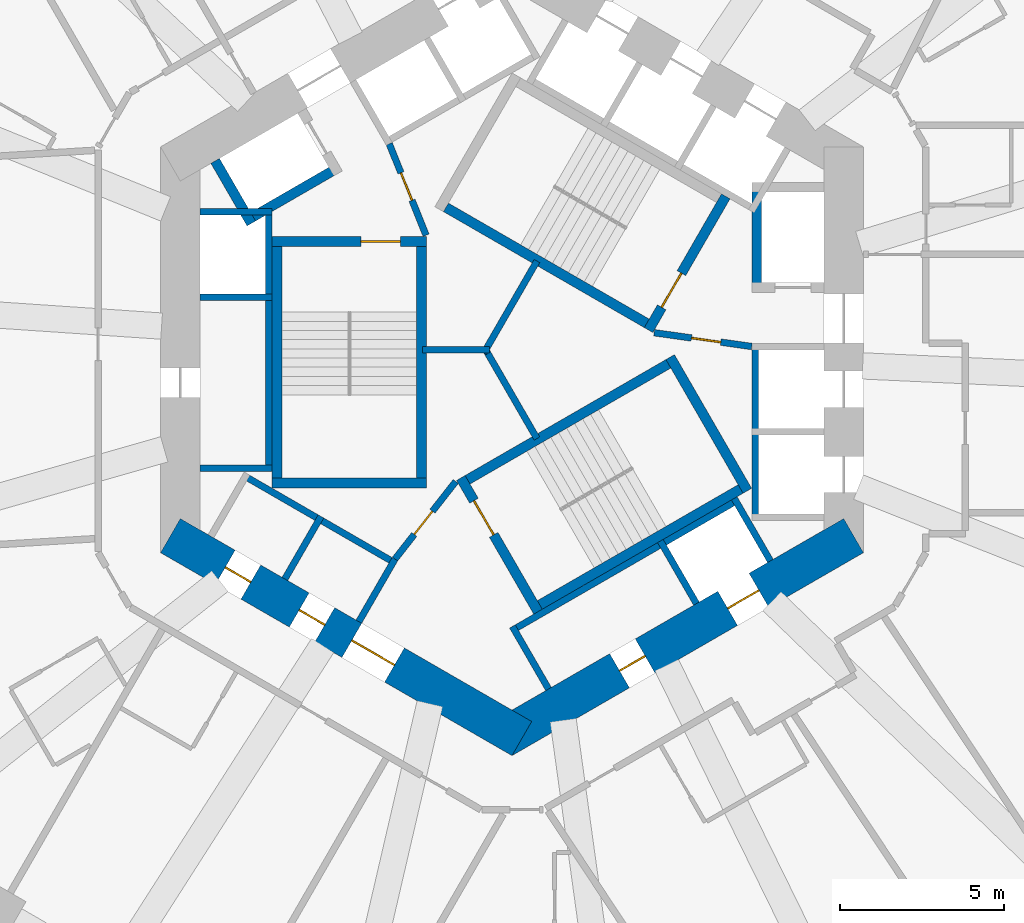
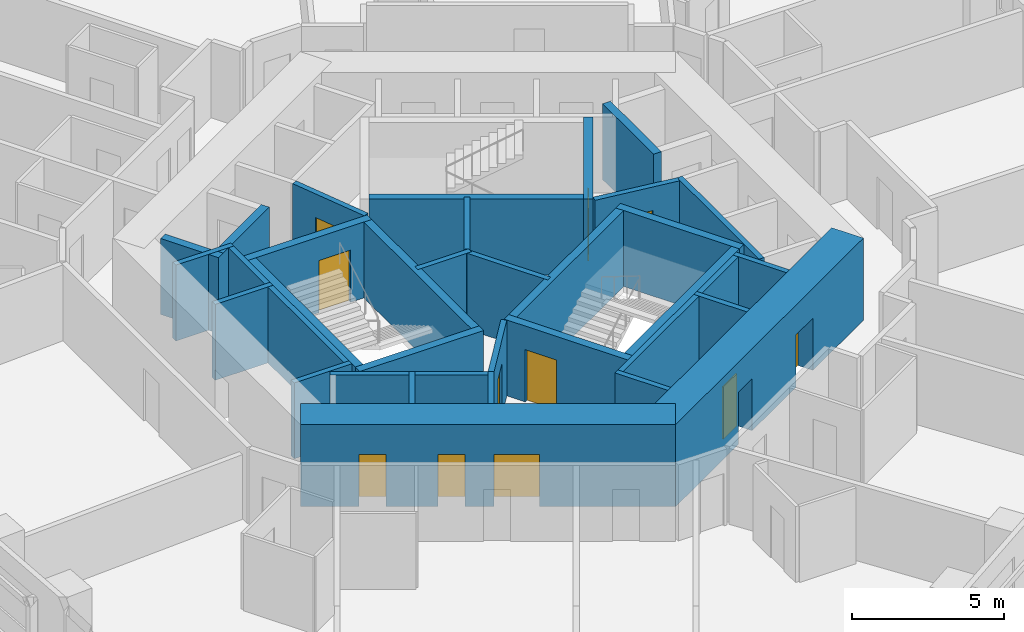
# One storey, part 5 of 12: 33 walls, 11 doors, 11 openings.
"""IFC4 building model written with IfcOpenShell, lengths in metres."""

from ifc_helpers import new_model, si_unit, direction, frame, frame_2d, origin, place, context, subcontext, project, spatial, rectangle, extrude, material, layer, layer_set, type_object, element, fill, save


model = new_model("IFC4")

# Units and contexts
model_context = context("Model", 3, precision=1e-05, world=origin(), true_north=direction((0.0, 1.0)))
body_context = subcontext(model_context, "Body", "Model", "MODEL_VIEW")
ifc_project = project(units=[si_unit("LENGTHUNIT", "METRE"), si_unit("AREAUNIT", "SQUARE_METRE"), si_unit("VOLUMEUNIT", "CUBIC_METRE"), si_unit("PLANEANGLEUNIT", "RADIAN"), si_unit("MASSUNIT", "GRAM", prefix="KILO")], contexts=[model_context])

# Site, building, storey
site_placement = place(None, origin())
site = spatial("IfcSite", under=ifc_project, at=site_placement, CompositionType="ELEMENT")
building_placement = place(site_placement, origin())
building = spatial("IfcBuilding", under=site, at=building_placement, Name="Vanh Sen Convention Tower", CompositionType="ELEMENT")
storey_placement = place(building_placement, frame((0.0, 0.0, 106.699951171875)))
storey = spatial("IfcBuildingStorey", under=building, at=storey_placement, Name="L25", CompositionType="ELEMENT", Elevation=106.699951171875)

# Wall, openings, doors
ifc_material_1 = material(Name="Concrete C80/95", Category="concrete")
ifc_layer_1 = layer(ifc_material_1, 1.199951171875)
ifc_layer_set_1 = layer_set([ifc_layer_1], Name="Concrete C80/95")
wall_type_1 = type_object("IfcWallType", Name="Core outer wall 1200 C80/95", PredefinedType="SHEAR", material=ifc_layer_set_1)
wall_1_placement = place(storey_placement, frame((-10.39990234375, -5.657958984375, 0.0), z_axis=(0.0, 0.0, 1.0), x_axis=(0.866021384402, -0.500006961711, 0.0)))
wall_1 = element("IfcWall", 1, at=wall_1_placement, inside=storey, type_object=wall_type_1, Name="Core wall face SW L25", PredefinedType="SHEAR", context=body_context, shape_type="SweptSolid", body=[
    extrude(rectangle(XDim=12.355224609375, YDim=1.199951171875, at=frame_2d((6.177734375, 0.0))), origin(), (0.0, 0.0, 1.0), 3.300048828125),
])
opening_1_placement = place(wall_1_placement, frame((6.377685546875, 0.0, 0.0)))
opening_1 = element("IfcOpeningElement", 2, at=opening_1_placement, cuts=wall_1, Name="Opening D25003", PredefinedType="OPENING", context=body_context, shape_type="SweptSolid", body=[
    extrude(rectangle(XDim=1.5, YDim=2.10009765625, at=frame_2d((0.75, 1.050048828125))), frame((0.0, 0.60986328125, 0.0), z_axis=(0.0, -1.0, 0.0), x_axis=(1.0, 0.0, 0.0)), (0.0, 0.0, 1.0), 1.219970703125),
])
opening_2_placement = place(wall_1_placement, frame((1.927734375, 0.0, 0.0)))
opening_2 = element("IfcOpeningElement", 3, at=opening_2_placement, cuts=wall_1, Name="Opening D25011", PredefinedType="OPENING", context=body_context, shape_type="SweptSolid", body=[
    extrude(rectangle(XDim=0.89990234375, YDim=2.10009765625, at=frame_2d((0.449951171875, 1.050048828125))), frame((0.0, 0.60986328125, 0.0), z_axis=(0.0, -1.0, 0.0), x_axis=(1.0, 0.0, 0.0)), (0.0, 0.0, 1.0), 1.219970703125),
])
opening_3_placement = place(wall_1_placement, frame((4.527587890625, 0.0, 0.0)))
opening_3 = element("IfcOpeningElement", 4, at=opening_3_placement, cuts=wall_1, Name="Opening D25012", PredefinedType="OPENING", context=body_context, shape_type="SweptSolid", body=[
    extrude(rectangle(XDim=0.89990234375, YDim=2.10009765625, at=frame_2d((0.449951171875, 1.050048828125))), frame((0.0, 0.60986328125, 0.0), z_axis=(0.0, -1.0, 0.0), x_axis=(1.0, 0.0, 0.0)), (0.0, 0.0, 1.0), 1.219970703125),
])
ifc_material_2 = material(Name="Steel S355", Category="steel")
door_type_1 = type_object("IfcDoorType", Name="Plant door 900", OperationType="SINGLE_SWING_LEFT", PredefinedType="DOOR", material=ifc_material_2)
door_1_placement = place(opening_2_placement, origin())
door_1 = element("IfcDoor", 5, at=door_1_placement, inside=storey, type_object=door_type_1, Name="Plant door D25011", OperationType="SINGLE_SWING_LEFT", OverallHeight=2.10009765625, OverallWidth=0.89990234375, PredefinedType="DOOR", context=body_context, shape_type="SweptSolid", body=[
    extrude(rectangle(XDim=0.89990234375, YDim=2.10009765625, at=frame_2d((0.449951171875, 1.050048828125))), frame((0.0, 0.02490234375, 0.0), z_axis=(0.0, -1.0, 0.0), x_axis=(1.0, 0.0, 0.0)), (0.0, 0.0, 1.0), 0.050048828125),
])
fill(opening_2, door_1)
door_2_placement = place(opening_3_placement, origin())
door_2 = element("IfcDoor", 6, at=door_2_placement, inside=storey, type_object=door_type_1, Name="Plant door D25012", OperationType="SINGLE_SWING_LEFT", OverallHeight=2.10009765625, OverallWidth=0.89990234375, PredefinedType="DOOR", context=body_context, shape_type="SweptSolid", body=[
    extrude(rectangle(XDim=0.89990234375, YDim=2.10009765625, at=frame_2d((0.449951171875, 1.050048828125))), frame((0.0, 0.02490234375, 0.0), z_axis=(0.0, -1.0, 0.0), x_axis=(1.0, 0.0, 0.0)), (0.0, 0.0, 1.0), 0.050048828125),
])
fill(opening_3, door_2)
door_type_2 = type_object("IfcDoorType", Name="Stair lobby door 1500", OperationType="DOUBLE_DOOR_SINGLE_SWING", PredefinedType="DOOR", material=ifc_material_2)
door_3_placement = place(opening_1_placement, origin())
door_3 = element("IfcDoor", 7, at=door_3_placement, inside=storey, type_object=door_type_2, Name="Stair lobby door D25003", OperationType="DOUBLE_DOOR_SINGLE_SWING", OverallHeight=2.10009765625, OverallWidth=1.5, PredefinedType="DOOR", context=body_context, shape_type="SweptSolid", body=[
    extrude(rectangle(XDim=1.5, YDim=2.10009765625, at=frame_2d((0.75, 1.050048828125))), frame((0.0, 0.02490234375, 0.0), z_axis=(0.0, -1.0, 0.0), x_axis=(1.0, 0.0, 0.0)), (0.0, 0.0, 1.0), 0.050048828125),
])
fill(opening_1, door_3)

wall_2_placement = place(storey_placement, frame((-0.300048828125, -11.835693359375, 0.0), z_axis=(0.0, 0.0, 1.0), x_axis=(0.866021384402, 0.500006961711, 0.0)))
wall_2 = element("IfcWall", 8, at=wall_2_placement, inside=storey, type_object=wall_type_1, Name="Core wall face SE L25", PredefinedType="SHEAR", context=body_context, shape_type="SweptSolid", body=[
    extrude(rectangle(XDim=12.355224609375, YDim=1.199951171875, at=frame_2d((6.177734375, 0.0))), origin(), (0.0, 0.0, 1.0), 3.300048828125),
])
opening_4_placement = place(wall_2_placement, frame((4.127685546875, 0.0, 0.0)))
opening_4 = element("IfcOpeningElement", 9, at=opening_4_placement, cuts=wall_2, Name="Opening D25013", PredefinedType="OPENING", context=body_context, shape_type="SweptSolid", body=[
    extrude(rectangle(XDim=0.89990234375, YDim=2.10009765625, at=frame_2d((0.449951171875, 1.050048828125))), frame((0.0, 0.60986328125, 0.0), z_axis=(0.0, -1.0, 0.0), x_axis=(1.0, 0.0, 0.0)), (0.0, 0.0, 1.0), 1.219970703125),
])
opening_5_placement = place(wall_2_placement, frame((7.927734375, 0.0, 0.0)))
opening_5 = element("IfcOpeningElement", 10, at=opening_5_placement, cuts=wall_2, Name="Opening LD-SV1", PredefinedType="OPENING", context=body_context, shape_type="SweptSolid", body=[
    extrude(rectangle(XDim=1.10009765625, YDim=2.10009765625, at=frame_2d((0.550048828125, 1.050048828125))), frame((0.0, 0.60986328125, 0.0), z_axis=(0.0, -1.0, 0.0), x_axis=(1.0, 0.0, 0.0)), (0.0, 0.0, 1.0), 1.219970703125),
])
ifc_material_3 = material(Name="Stainless steel", Category="steel")
door_type_3 = type_object("IfcDoorType", Name="Lift landing door 1100", OperationType="DOUBLE_DOOR_SLIDING", PredefinedType="DOOR", material=ifc_material_3)
door_4_placement = place(opening_5_placement, origin())
door_4 = element("IfcDoor", 11, at=door_4_placement, inside=storey, type_object=door_type_3, Name="Lift SV1 landing door LD-SV1", OperationType="DOUBLE_DOOR_SLIDING", OverallHeight=2.10009765625, OverallWidth=1.10009765625, PredefinedType="DOOR", context=body_context, shape_type="SweptSolid", body=[
    extrude(rectangle(XDim=1.10009765625, YDim=2.10009765625, at=frame_2d((0.550048828125, 1.050048828125))), frame((0.0, 0.02490234375, 0.0), z_axis=(0.0, -1.0, 0.0), x_axis=(1.0, 0.0, 0.0)), (0.0, 0.0, 1.0), 0.050048828125),
])
fill(opening_5, door_4)
door_5_placement = place(opening_4_placement, origin())
door_5 = element("IfcDoor", 12, at=door_5_placement, inside=storey, type_object=door_type_1, Name="Plant door D25013", OperationType="SINGLE_SWING_LEFT", OverallHeight=2.10009765625, OverallWidth=0.89990234375, PredefinedType="DOOR", context=body_context, shape_type="SweptSolid", body=[
    extrude(rectangle(XDim=0.89990234375, YDim=2.10009765625, at=frame_2d((0.449951171875, 1.050048828125))), frame((0.0, 0.02490234375, 0.0), z_axis=(0.0, -1.0, 0.0), x_axis=(1.0, 0.0, 0.0)), (0.0, 0.0, 1.0), 0.050048828125),
])
fill(opening_4, door_5)

# Walls
ifc_material_4 = material(Name="Masonry blockwork", Category="masonry")
ifc_layer_2 = layer(ifc_material_4, 0.199951171875)
ifc_layer_set_2 = layer_set([ifc_layer_2], Name="Masonry blockwork")
wall_type_2 = type_object("IfcWallType", Name="Core partition 200", PredefinedType="PARTITIONING", material=ifc_layer_set_2)
wall_3_placement = place(storey_placement, frame((-0.679931640625, 0.0, 0.0), z_axis=(0.0, 0.0, 1.0), x_axis=(-1.0, 0.0, 0.0)))
element("IfcWall", 13, at=wall_3_placement, inside=storey, type_object=wall_type_2, Name="Core partition L25", PredefinedType="PARTITIONING", context=body_context, shape_type="SweptSolid", body=[
    extrude(rectangle(XDim=2.0400390625, YDim=0.199951171875, at=frame_2d((1.02001953125, 0.0))), origin(), (0.0, 0.0, 1.0), 3.050048828125),
])
for number, where, z_axis, x_axis, name in (
    (14, (-0.860107421875, -0.10400390625, 0.0), (0.0, 0.0, 1.0), (0.500029011134, 0.866008653551, 0.0), "Core partition L25"),
    (15, (-0.860107421875, 0.10400390625, 0.0), (0.0, 0.0, 1.0), (0.500029011134, -0.866008653551, 0.0), "Core partition L25"),
):
    element("IfcWall", number, at=place(storey_placement, frame(where, z_axis=z_axis, x_axis=x_axis)), inside=storey, type_object=wall_type_2, Name=name, PredefinedType="PARTITIONING", context=body_context, shape_type="SweptSolid", body=[
        extrude(rectangle(XDim=3.239990234375, YDim=0.199951171875, at=frame_2d((1.6201171875, 0.0))), origin(), (0.0, 0.0, 1.0), 3.050048828125),
    ])
ifc_material_5 = material(Name="Concrete C60/75", Category="concrete")
ifc_layer_3 = layer(ifc_material_5, 0.300048828125)
ifc_layer_set_3 = layer_set([ifc_layer_3], Name="Concrete C60/75")
wall_type_3 = type_object("IfcWallType", Name="Fire-fighting lift shaft wall 300", PredefinedType="SHEAR", material=ifc_layer_set_3)
wall_4_placement = place(storey_placement, frame((7.449951171875, 1.75, 0.0), z_axis=(0.0, 0.0, 1.0), x_axis=(0.0, 1.0, 0.0)))
element("IfcWall", 16, at=wall_4_placement, inside=storey, type_object=wall_type_3, Name="Fire-fighting lift shaft wall L25", PredefinedType="SHEAR", context=body_context, shape_type="SweptSolid", body=[
    extrude(rectangle(XDim=3.35009765625, YDim=0.300048828125, at=frame_2d((1.675048828125, 0.0))), origin(), (0.0, 0.0, 1.0), 3.050048828125),
])
wall_5_placement = place(storey_placement, frame((-5.240478515625, 5.576904296875, 0.0), z_axis=(0.0, 0.0, 1.0), x_axis=(-0.866014461049, -0.500018952895, 0.0)))
element("IfcWall", 17, at=wall_5_placement, inside=storey, type_object=wall_type_3, Name="Fire-fighting lift shaft wall L25", PredefinedType="SHEAR", context=body_context, shape_type="SweptSolid", body=[
    extrude(rectangle(XDim=3.349853515625, YDim=0.300048828125, at=frame_2d((1.6748046875, 0.0))), origin(), (0.0, 0.0, 1.0), 3.050048828125),
])
wall_6_placement = place(storey_placement, frame((-7.936767578125, 3.846923828125, 0.0), z_axis=(0.0, 0.0, 1.0), x_axis=(-0.50002983664, 0.866008176907, 0.0)))
element("IfcWall", 18, at=wall_6_placement, inside=storey, type_object=wall_type_3, Name="Fire-fighting lift shaft wall L25", PredefinedType="SHEAR", context=body_context, shape_type="SweptSolid", body=[
    extrude(rectangle(XDim=2.199951171875, YDim=0.300048828125, at=frame_2d((1.10009765625, 0.0))), origin(), (0.0, 0.0, 1.0), 3.050048828125),
])
ifc_material_6 = material(Name="Concrete C40/50", Category="concrete")
ifc_layer_4 = layer(ifc_material_6, 0.199951171875)
ifc_layer_set_4 = layer_set([ifc_layer_4], Name="Concrete C40/50")
wall_type_4 = type_object("IfcWallType", Name="Lift shaft wall 200", PredefinedType="PARTITIONING", material=ifc_layer_set_4)
wall_7_placement = place(storey_placement, frame((7.39990234375, -5.199951171875, 0.0), z_axis=(0.0, 0.0, 1.0), x_axis=(0.0, 1.0, 0.0)))
element("IfcWall", 19, at=wall_7_placement, inside=storey, type_object=wall_type_4, Name="Lift shaft wall L25", PredefinedType="PARTITIONING", context=body_context, shape_type="SweptSolid", body=[
    extrude(rectangle(XDim=5.39990234375, YDim=0.199951171875, at=frame_2d((2.699951171875, 0.0))), origin(), (0.0, 0.0, 1.0), 3.050048828125),
])
wall_8_placement = place(storey_placement, frame((-7.39990234375, 4.300048828125, 0.0), z_axis=(0.0, 0.0, 1.0), x_axis=(0.0, -1.0, 0.0)))
element("IfcWall", 20, at=wall_8_placement, inside=storey, type_object=wall_type_4, Name="Lift shaft wall L25", PredefinedType="PARTITIONING", context=body_context, shape_type="SweptSolid", body=[
    extrude(rectangle(XDim=8.0, YDim=0.199951171875, at=frame_2d((4.0, 0.0))), origin(), (0.0, 0.0, 1.0), 3.050048828125),
])
for number, where, z_axis, x_axis, name in (
    (21, (-7.300048828125, 4.199951171875, 0.0), (0.0, 0.0, 1.0), (-1.0, 0.0, 0.0), "Lift shaft wall L25"),
    (22, (-7.300048828125, 1.60009765625, 0.0), (0.0, 0.0, 1.0), (-1.0, 0.0, 0.0), "Lift shaft wall L25"),
    (23, (-7.300048828125, -3.60009765625, 0.0), (0.0, 0.0, 1.0), (-1.0, 0.0, 0.0), "Lift shaft wall L25"),
):
    element("IfcWall", number, at=place(storey_placement, frame(where, z_axis=z_axis, x_axis=x_axis)), inside=storey, type_object=wall_type_4, Name=name, PredefinedType="PARTITIONING", context=body_context, shape_type="SweptSolid", body=[
        extrude(rectangle(XDim=2.199951171875, YDim=0.199951171875, at=frame_2d((1.10009765625, 0.0))), origin(), (0.0, 0.0, 1.0), 3.050048828125),
    ])
wall_9_placement = place(storey_placement, frame((-8.203369140625, -3.80859375, 0.0), z_axis=(0.0, 0.0, 1.0), x_axis=(0.866028230842, -0.499995103361, 0.0)))
element("IfcWall", 24, at=wall_9_placement, inside=storey, type_object=wall_type_4, Name="Lift shaft wall L25", PredefinedType="PARTITIONING", context=body_context, shape_type="SweptSolid", body=[
    extrude(rectangle(XDim=5.39990234375, YDim=0.199951171875, at=frame_2d((2.699951171875, 0.0))), origin(), (0.0, 0.0, 1.0), 3.050048828125),
])
wall_10_placement = place(storey_placement, frame((-5.815185546875, -5.072021484375, 0.0), z_axis=(0.0, 0.0, 1.0), x_axis=(-0.499946605688, -0.86605622881, 0.0)))
element("IfcWall", 25, at=wall_10_placement, inside=storey, type_object=wall_type_4, Name="Lift shaft wall L25", PredefinedType="PARTITIONING", context=body_context, shape_type="SweptSolid", body=[
    extrude(rectangle(XDim=2.199951171875, YDim=0.199951171875, at=frame_2d((1.10009765625, 0.0))), origin(), (0.0, 0.0, 1.0), 3.050048828125),
])
wall_11_placement = place(storey_placement, frame((-3.5634765625, -6.3720703125, 0.0), z_axis=(0.0, 0.0, 1.0), x_axis=(-0.499994660107, -0.866028486751, 0.0)))
element("IfcWall", 26, at=wall_11_placement, inside=storey, type_object=wall_type_4, Name="Lift shaft wall L25", PredefinedType="PARTITIONING", context=body_context, shape_type="SweptSolid", body=[
    extrude(rectangle(XDim=2.19970703125, YDim=0.199951171875, at=frame_2d((1.099853515625, 0.0))), origin(), (0.0, 0.0, 1.0), 3.050048828125),
])
wall_12_placement = place(storey_placement, frame((-0.02392578125, -8.55859375, 0.0), z_axis=(0.0, 0.0, 1.0), x_axis=(0.866026010844, 0.49999894854, 0.0)))
element("IfcWall", 27, at=wall_12_placement, inside=storey, type_object=wall_type_4, Name="Lift shaft wall L25", PredefinedType="PARTITIONING", context=body_context, shape_type="SweptSolid", body=[
    extrude(rectangle(XDim=8.0, YDim=0.199951171875, at=frame_2d((4.0, 0.0))), origin(), (0.0, 0.0, 1.0), 3.050048828125),
])
for number, where, z_axis, x_axis, name in (
    (28, (0.0126953125, -8.422119140625, 0.0), (0.0, 0.0, 1.0), (0.500077893725, -0.86598042715, 0.0), "Lift shaft wall L25"),
    (29, (4.51611328125, -5.822021484375, 0.0), (0.0, 0.0, 1.0), (0.499946605688, -0.86605622881, 0.0), "Lift shaft wall L25"),
    (30, (6.767578125, -4.52197265625, 0.0), (0.0, 0.0, 1.0), (0.50002983664, -0.866008176907, 0.0), "Lift shaft wall L25"),
):
    element("IfcWall", number, at=place(storey_placement, frame(where, z_axis=z_axis, x_axis=x_axis)), inside=storey, type_object=wall_type_4, Name=name, PredefinedType="PARTITIONING", context=body_context, shape_type="SweptSolid", body=[
        extrude(rectangle(XDim=2.199951171875, YDim=0.199951171875, at=frame_2d((1.10009765625, 0.0))), origin(), (0.0, 0.0, 1.0), 3.050048828125),
    ])

# Wall, opening, door
ifc_layer_5 = layer(ifc_material_6, 0.199951171875)
ifc_layer_set_5 = layer_set([ifc_layer_5], Name="Concrete C40/50")
wall_type_5 = type_object("IfcWallType", Name="Stair lobby wall 200", PredefinedType="PARTITIONING", material=ifc_layer_set_5)
wall_13_placement = place(storey_placement, frame((4.327392578125, 0.52099609375, 0.0), z_axis=(0.0, 0.0, 1.0), x_axis=(0.990124376366, -0.14019172346, 0.0)))
wall_13 = element("IfcWall", 31, at=wall_13_placement, inside=storey, type_object=wall_type_5, Name="Stair lobby wall L25", PredefinedType="PARTITIONING", context=body_context, shape_type="SweptSolid", body=[
    extrude(rectangle(XDim=3.002197265625, YDim=0.199951171875, at=frame_2d((1.5009765625, 0.0))), origin(), (0.0, 0.0, 1.0), 3.050048828125),
])
opening_6_placement = place(wall_13_placement, frame((1.14990234375, 0.0, 0.0)))
opening_6 = element("IfcOpeningElement", 32, at=opening_6_placement, cuts=wall_13, Name="Opening D25007", PredefinedType="OPENING", context=body_context, shape_type="SweptSolid", body=[
    extrude(rectangle(XDim=0.89990234375, YDim=2.10009765625, at=frame_2d((0.449951171875, 1.050048828125))), frame((0.0, 0.10986328125, 0.0), z_axis=(0.0, -1.0, 0.0), x_axis=(1.0, 0.0, 0.0)), (0.0, 0.0, 1.0), 0.219970703125),
])
door_6_placement = place(opening_6_placement, origin())
door_6 = element("IfcDoor", 33, at=door_6_placement, inside=storey, type_object=door_type_1, Name="Plant door D25007", OperationType="SINGLE_SWING_LEFT", OverallHeight=2.10009765625, OverallWidth=0.89990234375, PredefinedType="DOOR", context=body_context, shape_type="SweptSolid", body=[
    extrude(rectangle(XDim=0.89990234375, YDim=2.10009765625, at=frame_2d((0.449951171875, 1.050048828125))), frame((0.0, 0.02490234375, 0.0), z_axis=(0.0, -1.0, 0.0), x_axis=(1.0, 0.0, 0.0)), (0.0, 0.0, 1.0), 0.050048828125),
])
fill(opening_6, door_6)

wall_14_placement = place(storey_placement, frame((-2.614990234375, 3.487060546875, 0.0), z_axis=(0.0, 0.0, 1.0), x_axis=(-0.373576831041, 0.92759924068, 0.0)))
wall_14 = element("IfcWall", 34, at=wall_14_placement, inside=storey, type_object=wall_type_5, Name="Stair lobby wall L25", PredefinedType="PARTITIONING", context=body_context, shape_type="SweptSolid", body=[
    extrude(rectangle(XDim=3.002197265625, YDim=0.199951171875, at=frame_2d((1.5009765625, 0.0))), origin(), (0.0, 0.0, 1.0), 3.050048828125),
])
opening_7_placement = place(wall_14_placement, frame((1.14990234375, 0.0, 0.0)))
opening_7 = element("IfcOpeningElement", 35, at=opening_7_placement, cuts=wall_14, Name="Opening D25008", PredefinedType="OPENING", context=body_context, shape_type="SweptSolid", body=[
    extrude(rectangle(XDim=0.89990234375, YDim=2.10009765625, at=frame_2d((0.449951171875, 1.050048828125))), frame((0.0, 0.10986328125, 0.0), z_axis=(0.0, -1.0, 0.0), x_axis=(1.0, 0.0, 0.0)), (0.0, 0.0, 1.0), 0.219970703125),
])
door_7_placement = place(opening_7_placement, origin())
door_7 = element("IfcDoor", 36, at=door_7_placement, inside=storey, type_object=door_type_1, Name="Plant door D25008", OperationType="SINGLE_SWING_LEFT", OverallHeight=2.10009765625, OverallWidth=0.89990234375, PredefinedType="DOOR", context=body_context, shape_type="SweptSolid", body=[
    extrude(rectangle(XDim=0.89990234375, YDim=2.10009765625, at=frame_2d((0.449951171875, 1.050048828125))), frame((0.0, 0.02490234375, 0.0), z_axis=(0.0, -1.0, 0.0), x_axis=(1.0, 0.0, 0.0)), (0.0, 0.0, 1.0), 0.050048828125),
])
fill(opening_7, door_7)

wall_15_placement = place(storey_placement, frame((-1.71240234375, -4.00830078125, 0.0), z_axis=(0.0, 0.0, 1.0), x_axis=(-0.616549420702, -0.787316208287, 0.0)))
wall_15 = element("IfcWall", 37, at=wall_15_placement, inside=storey, type_object=wall_type_5, Name="Stair lobby wall L25", PredefinedType="PARTITIONING", context=body_context, shape_type="SweptSolid", body=[
    extrude(rectangle(XDim=3.002197265625, YDim=0.199951171875, at=frame_2d((1.5009765625, 0.0))), origin(), (0.0, 0.0, 1.0), 3.050048828125),
])
opening_8_placement = place(wall_15_placement, frame((1.14990234375, 0.0, 0.0)))
opening_8 = element("IfcOpeningElement", 38, at=opening_8_placement, cuts=wall_15, Name="Opening D25009", PredefinedType="OPENING", context=body_context, shape_type="SweptSolid", body=[
    extrude(rectangle(XDim=0.89990234375, YDim=2.10009765625, at=frame_2d((0.449951171875, 1.050048828125))), frame((0.0, 0.10986328125, 0.0), z_axis=(0.0, -1.0, 0.0), x_axis=(1.0, 0.0, 0.0)), (0.0, 0.0, 1.0), 0.219970703125),
])
door_8_placement = place(opening_8_placement, origin())
door_8 = element("IfcDoor", 39, at=door_8_placement, inside=storey, type_object=door_type_1, Name="Plant door D25009", OperationType="SINGLE_SWING_LEFT", OverallHeight=2.10009765625, OverallWidth=0.89990234375, PredefinedType="DOOR", context=body_context, shape_type="SweptSolid", body=[
    extrude(rectangle(XDim=0.89990234375, YDim=2.10009765625, at=frame_2d((0.449951171875, 1.050048828125))), frame((0.0, 0.02490234375, 0.0), z_axis=(0.0, -1.0, 0.0), x_axis=(1.0, 0.0, 0.0)), (0.0, 0.0, 1.0), 0.050048828125),
])
fill(opening_8, door_8)

ifc_layer_6 = layer(ifc_material_5, 0.300048828125)
ifc_layer_set_6 = layer_set([ifc_layer_6], Name="Concrete C60/75")
wall_type_6 = type_object("IfcWallType", Name="Stair wall 300", PredefinedType="SHEAR", material=ifc_layer_set_6)
wall_16_placement = place(storey_placement, frame((4.157958984375, 0.601806640625, 0.0), z_axis=(0.0, 0.0, 1.0), x_axis=(0.499977259774, 0.866038532462, 0.0)))
wall_16 = element("IfcWall", 40, at=wall_16_placement, inside=storey, type_object=wall_type_6, Name="Stair wall L25", PredefinedType="SHEAR", context=body_context, shape_type="SweptSolid", body=[
    extrude(rectangle(XDim=4.699951171875, YDim=0.300048828125, at=frame_2d((2.35009765625, 0.0))), origin(), (0.0, 0.0, 1.0), 3.050048828125),
])
opening_9_placement = place(wall_16_placement, frame((0.800048828125, 0.0, 0.0)))
opening_9 = element("IfcOpeningElement", 41, at=opening_9_placement, cuts=wall_16, Name="Opening D25004", PredefinedType="OPENING", context=body_context, shape_type="SweptSolid", body=[
    extrude(rectangle(XDim=1.199951171875, YDim=2.10009765625, at=frame_2d((0.60009765625, 1.050048828125))), frame((0.0, 0.159912109375, 0.0), z_axis=(0.0, -1.0, 0.0), x_axis=(1.0, 0.0, 0.0)), (0.0, 0.0, 1.0), 0.320068359375),
])
door_type_4 = type_object("IfcDoorType", Name="Stair door 1200", OperationType="SINGLE_SWING_RIGHT", PredefinedType="DOOR", material=ifc_material_2)
door_9_placement = place(opening_9_placement, origin())
door_9 = element("IfcDoor", 42, at=door_9_placement, inside=storey, type_object=door_type_4, Name="Stair ST1 door D25004", OperationType="SINGLE_SWING_RIGHT", OverallHeight=2.10009765625, OverallWidth=1.199951171875, PredefinedType="DOOR", context=body_context, shape_type="SweptSolid", body=[
    extrude(rectangle(XDim=1.199951171875, YDim=2.10009765625, at=frame_2d((0.60009765625, 1.050048828125))), frame((0.0, 0.02490234375, 0.0), z_axis=(0.0, -1.0, 0.0), x_axis=(1.0, 0.0, 0.0)), (0.0, 0.0, 1.0), 0.050048828125),
])
fill(opening_9, door_9)

# Wall
wall_17_placement = place(storey_placement, frame((4.10302734375, 0.806640625, 0.0), z_axis=(0.0, 0.0, 1.0), x_axis=(-0.866027801685, 0.499995846692, 0.0)))
element("IfcWall", 43, at=wall_17_placement, inside=storey, type_object=wall_type_6, Name="Stair wall L25", PredefinedType="SHEAR", context=body_context, shape_type="SweptSolid", body=[
    extrude(rectangle(XDim=7.06005859375, YDim=0.300048828125, at=frame_2d((3.530029296875, 0.0))), origin(), (0.0, 0.0, 1.0), 3.050048828125),
])

# Wall, opening, door
wall_18_placement = place(storey_placement, frame((-2.60009765625, 3.300048828125, 0.0), z_axis=(0.0, 0.0, 1.0), x_axis=(-1.0, 0.0, 0.0)))
wall_18 = element("IfcWall", 44, at=wall_18_placement, inside=storey, type_object=wall_type_6, Name="Stair wall L25", PredefinedType="SHEAR", context=body_context, shape_type="SweptSolid", body=[
    extrude(rectangle(XDim=4.699951171875, YDim=0.300048828125, at=frame_2d((2.35009765625, 0.0))), origin(), (0.0, 0.0, 1.0), 3.050048828125),
])
opening_10_placement = place(wall_18_placement, frame((0.800048828125, 0.0, 0.0)))
opening_10 = element("IfcOpeningElement", 45, at=opening_10_placement, cuts=wall_18, Name="Opening D25005", PredefinedType="OPENING", context=body_context, shape_type="SweptSolid", body=[
    extrude(rectangle(XDim=1.199951171875, YDim=2.10009765625, at=frame_2d((0.60009765625, 1.050048828125))), frame((0.0, 0.159912109375, 0.0), z_axis=(0.0, -1.0, 0.0), x_axis=(1.0, 0.0, 0.0)), (0.0, 0.0, 1.0), 0.320068359375),
])
door_10_placement = place(opening_10_placement, origin())
door_10 = element("IfcDoor", 46, at=door_10_placement, inside=storey, type_object=door_type_4, Name="Stair ST2 door D25005", OperationType="SINGLE_SWING_RIGHT", OverallHeight=2.10009765625, OverallWidth=1.199951171875, PredefinedType="DOOR", context=body_context, shape_type="SweptSolid", body=[
    extrude(rectangle(XDim=1.199951171875, YDim=2.10009765625, at=frame_2d((0.60009765625, 1.050048828125))), frame((0.0, 0.02490234375, 0.0), z_axis=(0.0, -1.0, 0.0), x_axis=(1.0, 0.0, 0.0)), (0.0, 0.0, 1.0), 0.050048828125),
])
fill(opening_10, door_10)

# Walls
wall_19_placement = place(storey_placement, frame((-2.60009765625, -4.06005859375, 0.0), z_axis=(0.0, 0.0, 1.0), x_axis=(-1.0, 0.0, 0.0)))
element("IfcWall", 47, at=wall_19_placement, inside=storey, type_object=wall_type_6, Name="Stair wall L25", PredefinedType="SHEAR", context=body_context, shape_type="SweptSolid", body=[
    extrude(rectangle(XDim=4.699951171875, YDim=0.300048828125, at=frame_2d((2.35009765625, 0.0))), origin(), (0.0, 0.0, 1.0), 3.050048828125),
])
for number, where, z_axis, x_axis, name in (
    (48, (-2.75, 3.14990234375, 0.0), (0.0, 0.0, 1.0), (0.0, -1.0, 0.0), "Stair wall L25"),
    (49, (-7.14990234375, 3.14990234375, 0.0), (0.0, 0.0, 1.0), (0.0, -1.0, 0.0), "Stair wall L25"),
):
    element("IfcWall", number, at=place(storey_placement, frame(where, z_axis=z_axis, x_axis=x_axis)), inside=storey, type_object=wall_type_6, Name=name, PredefinedType="SHEAR", context=body_context, shape_type="SweptSolid", body=[
        extrude(rectangle(XDim=7.059814453125, YDim=0.300048828125, at=frame_2d((3.52978515625, 0.0))), origin(), (0.0, 0.0, 1.0), 3.050048828125),
    ])

# Wall, opening, door
wall_20_placement = place(storey_placement, frame((-1.557861328125, -3.901611328125, 0.0), z_axis=(0.0, 0.0, 1.0), x_axis=(0.499977259774, -0.866038532462, 0.0)))
wall_20 = element("IfcWall", 50, at=wall_20_placement, inside=storey, type_object=wall_type_6, Name="Stair wall L25", PredefinedType="SHEAR", context=body_context, shape_type="SweptSolid", body=[
    extrude(rectangle(XDim=4.699951171875, YDim=0.300048828125, at=frame_2d((2.35009765625, 0.0))), origin(), (0.0, 0.0, 1.0), 3.050048828125),
])
opening_11_placement = place(wall_20_placement, frame((0.800048828125, 0.0, 0.0)))
opening_11 = element("IfcOpeningElement", 51, at=opening_11_placement, cuts=wall_20, Name="Opening D25006", PredefinedType="OPENING", context=body_context, shape_type="SweptSolid", body=[
    extrude(rectangle(XDim=1.199951171875, YDim=2.10009765625, at=frame_2d((0.60009765625, 1.050048828125))), frame((0.0, 0.159912109375, 0.0), z_axis=(0.0, -1.0, 0.0), x_axis=(1.0, 0.0, 0.0)), (0.0, 0.0, 1.0), 0.320068359375),
])
door_11_placement = place(opening_11_placement, origin())
door_11 = element("IfcDoor", 52, at=door_11_placement, inside=storey, type_object=door_type_4, Name="Stair ST3 door D25006", OperationType="SINGLE_SWING_RIGHT", OverallHeight=2.10009765625, OverallWidth=1.199951171875, PredefinedType="DOOR", context=body_context, shape_type="SweptSolid", body=[
    extrude(rectangle(XDim=1.199951171875, YDim=2.10009765625, at=frame_2d((0.60009765625, 1.050048828125))), frame((0.0, 0.02490234375, 0.0), z_axis=(0.0, -1.0, 0.0), x_axis=(1.0, 0.0, 0.0)), (0.0, 0.0, 1.0), 0.050048828125),
])
fill(opening_11, door_11)

# Walls
wall_21_placement = place(storey_placement, frame((4.816162109375, -0.2216796875, 0.0), z_axis=(0.0, 0.0, 1.0), x_axis=(0.499977259774, -0.866038532462, 0.0)))
element("IfcWall", 53, at=wall_21_placement, inside=storey, type_object=wall_type_6, Name="Stair wall L25", PredefinedType="SHEAR", context=body_context, shape_type="SweptSolid", body=[
    extrude(rectangle(XDim=4.699951171875, YDim=0.300048828125, at=frame_2d((2.35009765625, 0.0))), origin(), (0.0, 0.0, 1.0), 3.050048828125),
])
for number, where, z_axis, x_axis, name in (
    (54, (-1.35302734375, -3.95654296875, 0.0), (0.0, 0.0, 1.0), (0.866027801685, 0.499995846692, 0.0), "Stair wall L25"),
    (55, (0.846923828125, -7.76708984375, 0.0), (0.0, 0.0, 1.0), (0.866027801685, 0.499995846692, 0.0), "Stair wall L25"),
):
    element("IfcWall", number, at=place(storey_placement, frame(where, z_axis=z_axis, x_axis=x_axis)), inside=storey, type_object=wall_type_6, Name=name, PredefinedType="SHEAR", context=body_context, shape_type="SweptSolid", body=[
        extrude(rectangle(XDim=7.06005859375, YDim=0.300048828125, at=frame_2d((3.530029296875, 0.0))), origin(), (0.0, 0.0, 1.0), 3.050048828125),
    ])

save(model, "model.ifc")
